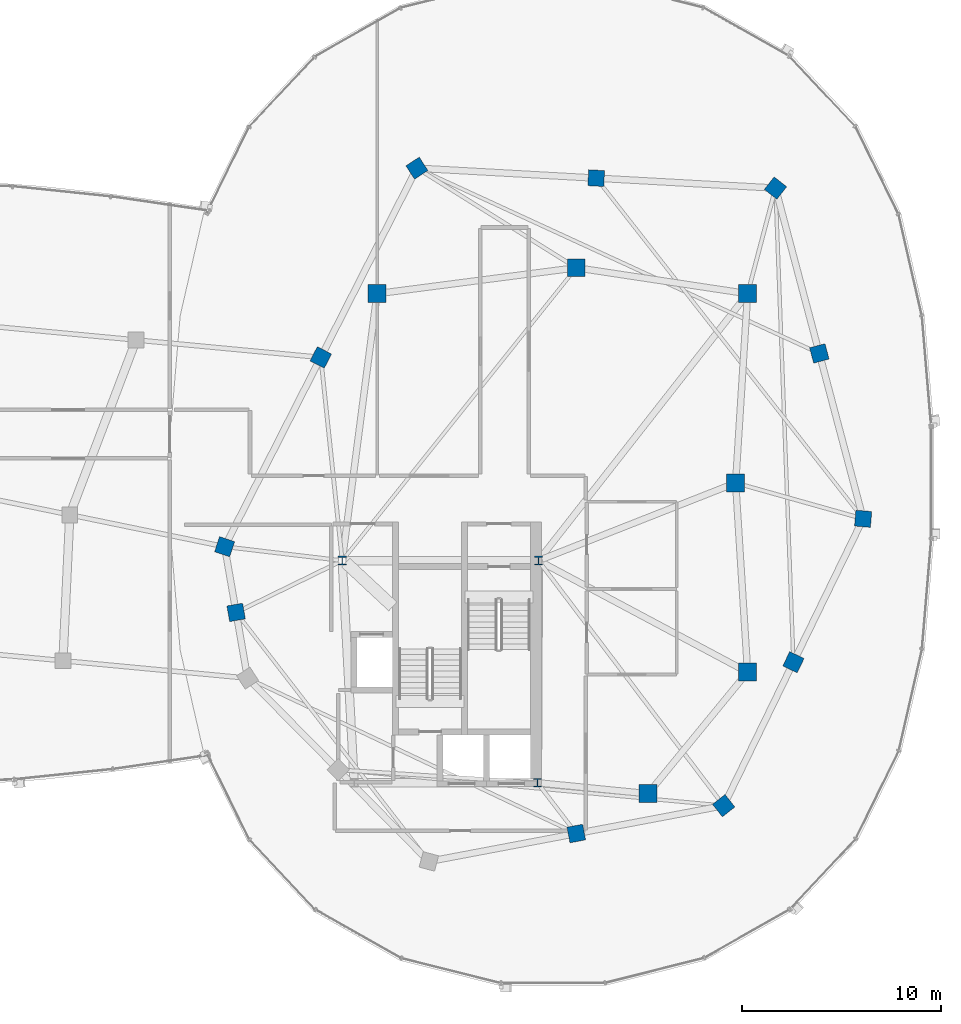
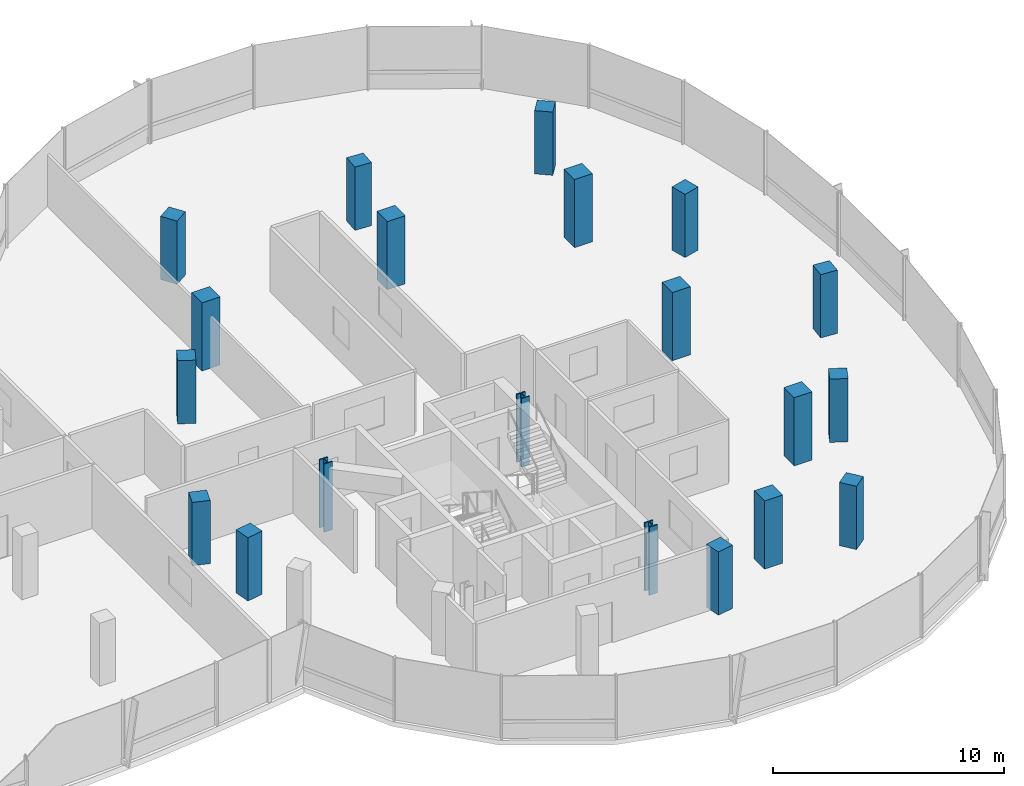
# One storey, part 2 of 25: 20 columns.
"""IFC4 building model written with IfcOpenShell, lengths in metres."""

from ifc_helpers import new_model, si_unit, direction, frame, origin, origin_2d, place, context, subcontext, project, spatial, rectangle, i_section, extrude, material, material_profile, profile_set, type_object, element, save


model = new_model("IFC4")

# Units and contexts
model_context = context("Model", 3, precision=1e-05, world=origin(), true_north=direction((0.0, 1.0)))
body_context = subcontext(model_context, "Body", "Model", "MODEL_VIEW")
ifc_project = project(units=[si_unit("LENGTHUNIT", "METRE"), si_unit("AREAUNIT", "SQUARE_METRE"), si_unit("VOLUMEUNIT", "CUBIC_METRE"), si_unit("PLANEANGLEUNIT", "RADIAN"), si_unit("MASSUNIT", "GRAM", prefix="KILO"), si_unit("THERMODYNAMICTEMPERATUREUNIT", "KELVIN"), si_unit("POWERUNIT", "WATT")], contexts=[model_context])

# Site, building, storey
site_placement = place(None, origin())
site = spatial("IfcSite", under=ifc_project, at=site_placement, CompositionType="ELEMENT")
building_placement = place(site_placement, origin())
building = spatial("IfcBuilding", under=site, at=building_placement, Name="Cundina Bronze Exchange", CompositionType="ELEMENT")
storey_placement = place(building_placement, frame((0.0, 0.0, 272.0)))
storey = spatial("IfcBuildingStorey", under=building, at=storey_placement, Name="L72", CompositionType="ELEMENT", Elevation=272.0)

# Columns
ifc_material_1 = material(Name="Concrete C50/60", Category="concrete")
ifc_material_profile_1 = material_profile(ifc_material_1, rectangle(XDim=0.800048828125, YDim=0.800048828125, at=origin_2d()), Name="RC800X800", Category="concrete")
ifc_profile_set_1 = profile_set([ifc_material_profile_1], Name="Concrete C50/60")
column_type_1 = type_object("IfcColumnType", Name="COL-BRG-800", PredefinedType="COLUMN", material=ifc_profile_set_1)
for number, where, z_axis, x_axis, name in (
    (1, (15.550048828125, -3.199951171875, 0.0), (0.0, 0.0, 1.0), (-0.315152163383, -0.949041155016, 0.0), "L72 E Perimeter Column 00"),
    (2, (16.125, -6.5, 0.0), (0.0, 0.0, 1.0), (0.171585221787, -0.985169280715, 0.0), "L72 E Perimeter Column 01"),
    (3, (33.199951171875, -17.60009765625, 0.0), (0.0, 0.0, 1.0), (0.98258037664, 0.185838110843, 0.0), "L72 E Perimeter Column 05"),
    (4, (40.60009765625, -16.199951171875, 0.0), (0.0, 0.0, 1.0), (0.785100778485, 0.619368038909, 0.0), "L72 E Perimeter Column 06"),
    (5, (44.10009765625, -9.0, 0.0), (0.0, 0.0, 1.0), (0.437115766651, 0.899405251566, 0.0), "L72 E Perimeter Column 07"),
    (6, (47.60009765625, -1.800048828125, 0.0), (0.0, 0.0, 1.0), (0.083503921245, 0.996507448611, 0.0), "L72 E Perimeter Column 08"),
    (7, (45.39990234375, 6.5, 0.0), (0.0, 0.0, 1.0), (-0.256289373133, 0.966600102017, 0.0), "L72 E Perimeter Column 09"),
    (8, (43.199951171875, 14.800048828125, 0.0), (0.0, 0.0, 1.0), (-0.786288432137, 0.61785961309, 0.0), "L72 E Perimeter Column 10"),
    (9, (34.199951171875, 15.300048828125, 0.0), (0.0, 0.0, 1.0), (-0.998460188734, 0.055472980025, 0.0), "L72 E Perimeter Column 11"),
    (10, (25.199951171875, 15.800048828125, 0.0), (0.0, 0.0, 1.0), (-0.838099763533, -0.545516989988, 0.0), "L72 E Perimeter Column 12"),
    (11, (20.375, 6.300048828125, 0.0), (0.0, 0.0, 1.0), (-0.452901591366, -0.891560513111, 0.0), "L72 E Perimeter Column 13"),
):
    element("IfcColumn", number, at=place(storey_placement, frame(where, z_axis=z_axis, x_axis=x_axis)), inside=storey, type_object=column_type_1, Name=name, PredefinedType="COLUMN", context=body_context, shape_type="SweptSolid", body=[
        extrude(rectangle(XDim=0.800048828125, YDim=0.800048828125, at=origin_2d()), origin(), (0.0, 0.0, 1.0), 3.340087890625),
    ])
ifc_material_2 = material(Name="Steel ASTM A992 Grade 50", Category="steel")
ifc_material_profile_2 = material_profile(ifc_material_2, i_section(OverallWidth=0.416015625, OverallDepth=0.446044921875, WebThickness=0.0390625, FlangeThickness=0.062744140625, FilletRadius=0.01806640625, at=origin_2d()), Name="W14X342", Category="steel")
ifc_profile_set_2 = profile_set([ifc_material_profile_2], Name="Steel ASTM A992 Grade 50")
column_type_2 = type_object("IfcColumnType", Name="COL-STL-W14B", PredefinedType="COLUMN", material=ifc_profile_set_2)
for number, where, z_axis, x_axis, name in (
    (12, (31.300048828125, -3.89990234375, 0.0), (0.0, 0.0, 1.0), (1.0, 0.0, 0.0), "L72 Core Anchor Column E1"),
    (13, (21.449951171875, -3.89990234375, 0.0), (0.0, 0.0, 1.0), (1.0, 0.0, 0.0), "L72 Core Anchor Column E2"),
    (14, (31.25, -15.050048828125, 0.0), (0.0, 0.0, 1.0), (1.0, 0.0, 0.0), "L72 Core Anchor Column E4"),
):
    element("IfcColumn", number, at=place(storey_placement, frame(where, z_axis=z_axis, x_axis=x_axis)), inside=storey, type_object=column_type_2, Name=name, PredefinedType="COLUMN", context=body_context, shape_type="SweptSolid", body=[
        extrude(i_section(OverallWidth=0.416015625, OverallDepth=0.446044921875, WebThickness=0.0390625, FlangeThickness=0.062744140625, FilletRadius=0.01806640625, at=origin_2d()), origin(), (0.0, 0.0, 1.0), 3.60009765625),
    ])
ifc_material_profile_3 = material_profile(ifc_material_1, rectangle(XDim=0.89990234375, YDim=0.89990234375, at=origin_2d()), Name="RC900X900", Category="concrete")
ifc_profile_set_3 = profile_set([ifc_material_profile_3], Name="Concrete C50/60")
column_type_3 = type_object("IfcColumnType", Name="COL-Z4-900", PredefinedType="COLUMN", material=ifc_profile_set_3)
for number, where, z_axis, x_axis, name in (
    (15, (41.199951171875, 0.0, 0.0), (0.0, 0.0, 1.0), (1.0, 0.0, 0.0), "L72 E Inner Ring Column 1"),
    (16, (41.800048828125, -9.5, 0.0), (0.0, 0.0, 1.0), (1.0, 0.0, 0.0), "L72 E Inner Ring Column 2"),
    (17, (36.800048828125, -15.60009765625, 0.0), (0.0, 0.0, 1.0), (1.0, 0.0, 0.0), "L72 E Inner Ring Column 3"),
    (18, (41.800048828125, 9.5, 0.0), (0.0, 0.0, 1.0), (1.0, 0.0, 0.0), "L72 E Inner Ring Column 4"),
    (19, (33.199951171875, 10.800048828125, 0.0), (0.0, 0.0, 1.0), (1.0, 0.0, 0.0), "L72 E Inner Ring Column 5"),
    (20, (23.199951171875, 9.5, 0.0), (0.0, 0.0, 1.0), (1.0, 0.0, 0.0), "L72 E Inner Ring Column 6"),
):
    element("IfcColumn", number, at=place(storey_placement, frame(where, z_axis=z_axis, x_axis=x_axis)), inside=storey, type_object=column_type_3, Name=name, PredefinedType="COLUMN", context=body_context, shape_type="SweptSolid", body=[
        extrude(rectangle(XDim=0.89990234375, YDim=0.89990234375, at=origin_2d()), origin(), (0.0, 0.0, 1.0), 3.60009765625),
    ])

save(model, "model.ifc")
